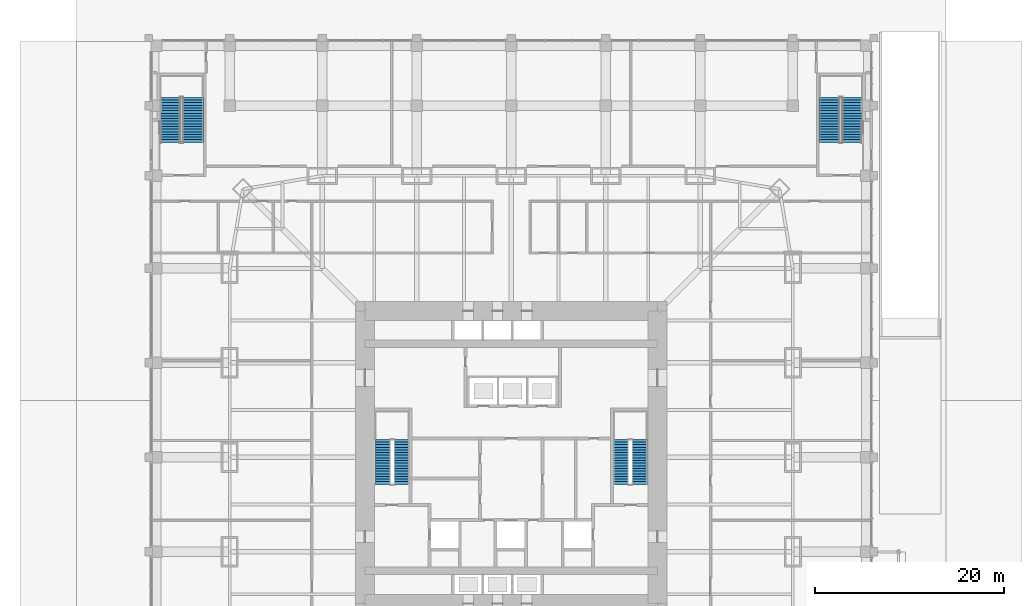
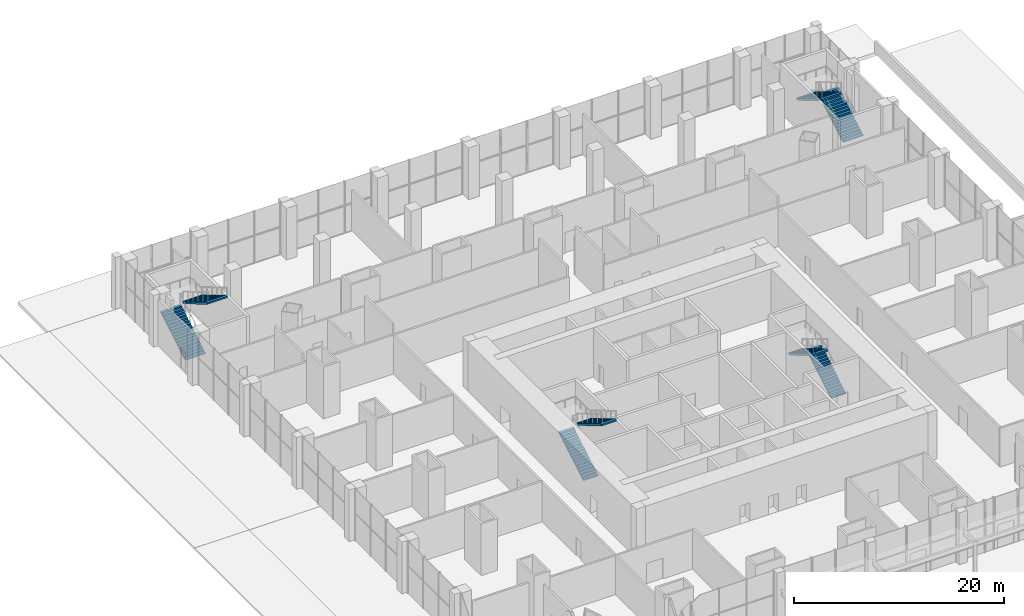
# One storey, part 28 of 31: 8 stair flights, 4 elements without a shape of their own.
"""IFC4 building model written with IfcOpenShell, lengths in metres."""

import ifcopenshell
import ifcopenshell.guid

model = None  # the IFC model being written
_history = None  # IfcOwnerHistory: only IFC2X3 demands one
_inside = {}  # id of a spatial element -> (the spatial element, [elements in it])
_under = {}  # id of a project, library or spatial element -> (it, [spatial elements below it])
_declared = {}  # id of a project -> (the project, [libraries it declares])
_typed = {}  # id of a type object -> (the type object, [elements of that type])
_made_of = {}  # id of a material, layer set ... -> (it, [elements and type objects made of it])


def new_model(schema):
    """Start an empty IFC model of exactly this schema.

    Asked for "IFC4X3", IfcOpenShell would pick the latest addendum, in which some entities
    have other attributes; the version numbers below select the first issue.
    IFC2X3 requires an IfcOwnerHistory on every rooted entity: one is made here for all.
    """
    global model, _history
    if schema == "IFC4X3":
        model = ifcopenshell.file(schema_version=(4, 3, 0, 0))
    else:
        model = ifcopenshell.file(schema=schema)
    _inside.clear()
    _under.clear()
    _declared.clear()
    _typed.clear()
    _made_of.clear()
    _history = None
    if model.schema == "IFC2X3":
        org = make("IfcOrganization", Name="unknown")
        user = make(
            "IfcPersonAndOrganization",
            ThePerson=make("IfcPerson", FamilyName="unknown"),
            TheOrganization=org,
        )
        app = make(
            "IfcApplication",
            ApplicationDeveloper=org,
            Version="unknown",
            ApplicationFullName="unknown",
            ApplicationIdentifier="unknown",
        )
        _history = make(
            "IfcOwnerHistory",
            OwningUser=user,
            OwningApplication=app,
            ChangeAction="ADDED",
            CreationDate=0,
        )
    return model


def make(cls, **values):
    """One entity of the class cls with the attributes given. An attribute that is None is left unset."""
    return model.create_entity(
        cls, **{name: value for name, value in values.items() if value is not None}
    )


def rooted(cls, **values):
    """An entity with a GlobalId (a new one), such as an element, a storey or a relation."""
    return make(cls, GlobalId=ifcopenshell.guid.new(), OwnerHistory=_history, **values)


def si_unit(unit_type, name, prefix=None):
    """IfcSIUnit, for example si_unit("LENGTHUNIT", "METRE", prefix="MILLI")."""
    return make("IfcSIUnit", UnitType=unit_type, Prefix=prefix, Name=name)


def assignment(units):
    """IfcUnitAssignment: the units of a project."""
    return None if units is None else make("IfcUnitAssignment", Units=units)


def point(xyz):
    """IfcCartesianPoint."""
    return None if xyz is None else make("IfcCartesianPoint", Coordinates=xyz)


def direction(xyz):
    """IfcDirection."""
    return None if xyz is None else make("IfcDirection", DirectionRatios=xyz)


def frame(location, z_axis=None, x_axis=None):
    """IfcAxis2Placement3D, a coordinate frame: its origin and axes. An axis left out is left unset."""
    return make(
        "IfcAxis2Placement3D",
        Location=point(location),
        Axis=direction(z_axis),
        RefDirection=direction(x_axis),
    )


def origin():
    """The frame at (0, 0, 0) with its axes left unset."""
    return frame((0.0, 0.0, 0.0))


def place(relative_to, where):
    """IfcLocalPlacement: puts the frame where relative to a parent placement (None: the world)."""
    return make(
        "IfcLocalPlacement", PlacementRelTo=relative_to, RelativePlacement=where
    )


def context(
    kind, dimensions, precision=None, world=None, true_north=None, identifier=None
):
    """IfcGeometricRepresentationContext, for example the 3D "Model" context."""
    return make(
        "IfcGeometricRepresentationContext",
        ContextIdentifier=identifier,
        ContextType=kind,
        CoordinateSpaceDimension=dimensions,
        Precision=precision,
        WorldCoordinateSystem=world,
        TrueNorth=true_north,
    )


def subcontext(parent, identifier, kind, view, scale=None):
    """IfcGeometricRepresentationSubContext, for example "Body" below "Model"."""
    return make(
        "IfcGeometricRepresentationSubContext",
        ContextIdentifier=identifier,
        ContextType=kind,
        ParentContext=parent,
        TargetScale=scale,
        TargetView=view,
    )


def project(units=None, contexts=None):
    """IfcProject with its units and contexts."""
    return rooted(
        "IfcProject",
        Name="project",
        RepresentationContexts=contexts,
        UnitsInContext=assignment(units),
    )


def spatial(cls, under=None, at=None, **own):
    """A site, building, storey or space (cls), placed at a placement, below another one or the project."""
    s = rooted(cls, ObjectPlacement=at, **own)
    if under is not None:
        _under.setdefault(under.id(), (under, []))[1].append(s)
    return s


def polyline(points):
    """IfcPolyline through the points."""
    return make("IfcPolyline", Points=[point(p) for p in points])


def outline(outer, holes=None, kind="AREA"):
    """IfcArbitraryClosedProfileDef: a profile drawn as a closed curve; with holes, ...WithVoids."""
    if holes is None:
        return make("IfcArbitraryClosedProfileDef", ProfileType=kind, OuterCurve=outer)
    return make(
        "IfcArbitraryProfileDefWithVoids",
        ProfileType=kind,
        OuterCurve=outer,
        InnerCurves=holes,
    )


def extrude(swept, where, along, depth):
    """IfcExtrudedAreaSolid: the profile swept, set in the frame where, extruded along a direction by depth."""
    return make(
        "IfcExtrudedAreaSolid",
        SweptArea=swept,
        Position=where,
        ExtrudedDirection=direction(along),
        Depth=depth,
    )


def shape(context_of_items, identifier, shape_type, items):
    """IfcShapeRepresentation: the items that make up one representation, for example the "Body"."""
    return make(
        "IfcShapeRepresentation",
        ContextOfItems=context_of_items,
        RepresentationIdentifier=identifier,
        RepresentationType=shape_type,
        Items=items,
    )


def material(Name=None, Category=None):
    """IfcMaterial."""
    return make("IfcMaterial", Name=Name, Category=Category)


def made_of(thing, what):
    """Note that an element or type object is made of a material, layer set ...; save() writes the relation."""
    if what is not None:
        _made_of.setdefault(what.id(), (what, []))[1].append(thing)
    return thing


def type_object(cls, material=None, **own):
    """A type object (cls), such as IfcWallType, which elements share."""
    return made_of(rooted(cls, **own), material)


def element(
    cls,
    number,
    at=None,
    inside=None,
    cuts=None,
    type_object=None,
    material=None,
    context=None,
    identifier="Body",
    shape_type=None,
    held_by="IfcProductDefinitionShape",
    body=None,
    shapes=None,
    **own,
):
    """One element of the class cls, such as IfcWall. Its Tag is "e" and its number.

    at: its placement. inside: the storey or other place that contains it. cuts: it is an
    opening in that element (IfcRelVoidsElement). A single representation is given by context,
    identifier, shape_type and body (its items); several are given by shapes. held_by: the class
    of the entity that holds the representations. save() writes the other relations.
    """
    e = rooted(cls, Tag="e%d" % number, ObjectPlacement=at, **own)
    if body is not None:
        shapes = [shape(context, identifier, shape_type, body)]
    if shapes is not None:
        e.Representation = make(held_by, Representations=shapes)
    if inside is not None:
        _inside.setdefault(inside.id(), (inside, []))[1].append(e)
    if cuts is not None:
        rooted(
            "IfcRelVoidsElement", RelatingBuildingElement=cuts, RelatedOpeningElement=e
        )
    if type_object is not None:
        _typed.setdefault(type_object.id(), (type_object, []))[1].append(e)
    return made_of(e, material)


def aggregate(whole, parts):
    """IfcRelAggregates: a whole, such as a stair, and the parts it consists of."""
    return rooted("IfcRelAggregates", RelatingObject=whole, RelatedObjects=parts)


def save(model, path):
    """Write the relations noted so far, then the file.

    IfcRelAggregates (storeys below a building ...), IfcRelContainedInSpatialStructure (elements
    in a storey), IfcRelDefinesByType, IfcRelAssociatesMaterial and IfcRelDeclares: one each for
    every whole, place, type object, material and project.
    """
    for whole, parts in _under.values():
        aggregate(whole, parts)
    for where, things in _inside.values():
        rooted(
            "IfcRelContainedInSpatialStructure",
            RelatedElements=things,
            RelatingStructure=where,
        )
    for kind, things in _typed.values():
        rooted("IfcRelDefinesByType", RelatedObjects=things, RelatingType=kind)
    for what, things in _made_of.values():
        rooted("IfcRelAssociatesMaterial", RelatedObjects=things, RelatingMaterial=what)
    for by, libraries in _declared.values():
        rooted("IfcRelDeclares", RelatingContext=by, RelatedDefinitions=libraries)
    model.write(path)


model = new_model("IFC4")

# Units and contexts
model_context = context("Model", 3, precision=1e-05, world=origin(), true_north=direction((0.0, 1.0)))
body_context = subcontext(model_context, "Body", "Model", "MODEL_VIEW")
ifc_project = project(units=[si_unit("LENGTHUNIT", "METRE"), si_unit("AREAUNIT", "SQUARE_METRE"), si_unit("VOLUMEUNIT", "CUBIC_METRE"), si_unit("PLANEANGLEUNIT", "RADIAN"), si_unit("MASSUNIT", "GRAM", prefix="KILO")], contexts=[model_context])

# Site, building, storey
site_placement = place(None, origin())
site = spatial("IfcSite", under=ifc_project, at=site_placement, CompositionType="ELEMENT")
building_placement = place(site_placement, origin())
building = spatial("IfcBuilding", under=site, at=building_placement, Name="Khuree Lantern Residences", CompositionType="ELEMENT")
storey_placement = place(building_placement, origin())
storey = spatial("IfcBuildingStorey", under=building, at=storey_placement, Name="L00", CompositionType="ELEMENT", Elevation=0.0)

# Stair, stair flights
ifc_material = material(Name="Concrete C40/50", Category="concrete")
stair_type_1 = type_object("IfcStairType", Name="STAIR ST1 HALF TURN 3600", PredefinedType="HALF_TURN_STAIR", material=ifc_material)
stair_1_placement = place(storey_placement, origin())
stair_1 = element("IfcStair", 1, at=stair_1_placement, inside=storey, type_object=stair_type_1, Name="Stair ST1", PredefinedType="HALF_TURN_STAIR")
stair_flight_type_1 = type_object("IfcStairFlightType", Name="STAIR FLIGHT SF1 1600", PredefinedType="STRAIGHT", material=ifc_material)
stair_flight_1_placement = place(storey_placement, frame((-13.60009765625, -2.860107421875, 0.0), z_axis=(0.0, 0.0, 1.0), x_axis=(0.0, 1.0, 0.0)))
stair_flight_1 = element("IfcStairFlight", 2, at=stair_flight_1_placement, type_object=stair_flight_type_1, Name="ST1 flight 1", NumberOfRisers=18, NumberOfTreads=17, PredefinedType="STRAIGHT", RiserHeight=0.166666667, TreadLength=0.28, context=body_context, shape_type="SweptSolid", body=[
    extrude(outline(polyline([(0.0, 0.0), (0.0, 0.166748046875), (0.280029296875, 0.166748046875), (0.280029296875, 0.333251953125), (0.56005859375, 0.333251953125), (0.56005859375, 0.5), (0.840087890625, 0.5), (0.840087890625, 0.666748046875), (1.1201171875, 0.666748046875), (1.1201171875, 0.833251953125), (1.39990234375, 0.833251953125), (1.39990234375, 1.0), (1.679931640625, 1.0), (1.679931640625, 1.166748046875), (1.9599609375, 1.166748046875), (1.9599609375, 1.333251953125), (2.239990234375, 1.333251953125), (2.239990234375, 1.5), (2.52001953125, 1.5), (2.52001953125, 1.666748046875), (2.800048828125, 1.666748046875), (2.800048828125, 1.833251953125), (3.080078125, 1.833251953125), (3.080078125, 2.0), (3.360107421875, 2.0), (3.360107421875, 2.166748046875), (3.639892578125, 2.166748046875), (3.639892578125, 2.333251953125), (3.919921875, 2.333251953125), (3.919921875, 2.5), (4.199951171875, 2.5), (4.199951171875, 2.666748046875), (4.47998046875, 2.666748046875), (4.47998046875, 2.833251953125), (4.760009765625, 2.833251953125), (4.760009765625, 3.0), (4.760009765625, 2.658935546875), (0.29296875, 0.0), (0.0, 0.0)])), frame((0.0, 0.800048828125, 0.0), z_axis=(0.0, -1.0, 0.0), x_axis=(1.0, 0.0, 0.0)), (0.0, 0.0, 1.0), 1.60009765625),
])
stair_flight_2_placement = place(storey_placement, frame((-11.60009765625, 1.89990234375, 3.0), z_axis=(0.0, 0.0, 1.0), x_axis=(0.0, -1.0, 0.0)))
stair_flight_2 = element("IfcStairFlight", 3, at=stair_flight_2_placement, type_object=stair_flight_type_1, Name="ST1 flight 2", NumberOfRisers=18, NumberOfTreads=17, PredefinedType="STRAIGHT", RiserHeight=0.166666667, TreadLength=0.28, context=body_context, shape_type="SweptSolid", body=[
    extrude(outline(polyline([(0.0, 0.0), (0.0, 0.166748046875), (0.280029296875, 0.166748046875), (0.280029296875, 0.333251953125), (0.56005859375, 0.333251953125), (0.56005859375, 0.5), (0.840087890625, 0.5), (0.840087890625, 0.666748046875), (1.1201171875, 0.666748046875), (1.1201171875, 0.833251953125), (1.39990234375, 0.833251953125), (1.39990234375, 1.0), (1.679931640625, 1.0), (1.679931640625, 1.166748046875), (1.9599609375, 1.166748046875), (1.9599609375, 1.333251953125), (2.239990234375, 1.333251953125), (2.239990234375, 1.5), (2.52001953125, 1.5), (2.52001953125, 1.666748046875), (2.800048828125, 1.666748046875), (2.800048828125, 1.833251953125), (3.080078125, 1.833251953125), (3.080078125, 2.0), (3.360107421875, 2.0), (3.360107421875, 2.166748046875), (3.639892578125, 2.166748046875), (3.639892578125, 2.333251953125), (3.919921875, 2.333251953125), (3.919921875, 2.5), (4.199951171875, 2.5), (4.199951171875, 2.666748046875), (4.47998046875, 2.666748046875), (4.47998046875, 2.833251953125), (4.760009765625, 2.833251953125), (4.760009765625, 3.0), (4.760009765625, 2.658935546875), (0.29296875, 0.0), (0.0, 0.0)])), frame((0.0, 0.800048828125, 0.0), z_axis=(0.0, -1.0, 0.0), x_axis=(1.0, 0.0, 0.0)), (0.0, 0.0, 1.0), 1.60009765625),
])
aggregate(stair_1, [stair_flight_1, stair_flight_2])

stair_2_placement = place(storey_placement, origin())
stair_2 = element("IfcStair", 4, at=stair_2_placement, inside=storey, type_object=stair_type_1, Name="Stair ST2", PredefinedType="HALF_TURN_STAIR")
stair_flight_3_placement = place(storey_placement, frame((13.60009765625, -2.860107421875, 0.0), z_axis=(0.0, 0.0, 1.0), x_axis=(0.0, 1.0, 0.0)))
stair_flight_3 = element("IfcStairFlight", 5, at=stair_flight_3_placement, type_object=stair_flight_type_1, Name="ST2 flight 1", NumberOfRisers=18, NumberOfTreads=17, PredefinedType="STRAIGHT", RiserHeight=0.166666667, TreadLength=0.28, context=body_context, shape_type="SweptSolid", body=[
    extrude(outline(polyline([(0.0, 0.0), (0.0, 0.166748046875), (0.280029296875, 0.166748046875), (0.280029296875, 0.333251953125), (0.56005859375, 0.333251953125), (0.56005859375, 0.5), (0.840087890625, 0.5), (0.840087890625, 0.666748046875), (1.1201171875, 0.666748046875), (1.1201171875, 0.833251953125), (1.39990234375, 0.833251953125), (1.39990234375, 1.0), (1.679931640625, 1.0), (1.679931640625, 1.166748046875), (1.9599609375, 1.166748046875), (1.9599609375, 1.333251953125), (2.239990234375, 1.333251953125), (2.239990234375, 1.5), (2.52001953125, 1.5), (2.52001953125, 1.666748046875), (2.800048828125, 1.666748046875), (2.800048828125, 1.833251953125), (3.080078125, 1.833251953125), (3.080078125, 2.0), (3.360107421875, 2.0), (3.360107421875, 2.166748046875), (3.639892578125, 2.166748046875), (3.639892578125, 2.333251953125), (3.919921875, 2.333251953125), (3.919921875, 2.5), (4.199951171875, 2.5), (4.199951171875, 2.666748046875), (4.47998046875, 2.666748046875), (4.47998046875, 2.833251953125), (4.760009765625, 2.833251953125), (4.760009765625, 3.0), (4.760009765625, 2.658935546875), (0.29296875, 0.0), (0.0, 0.0)])), frame((0.0, 0.800048828125, 0.0), z_axis=(0.0, -1.0, 0.0), x_axis=(1.0, 0.0, 0.0)), (0.0, 0.0, 1.0), 1.60009765625),
])
stair_flight_4_placement = place(storey_placement, frame((11.60009765625, 1.89990234375, 3.0), z_axis=(0.0, 0.0, 1.0), x_axis=(0.0, -1.0, 0.0)))
stair_flight_4 = element("IfcStairFlight", 6, at=stair_flight_4_placement, type_object=stair_flight_type_1, Name="ST2 flight 2", NumberOfRisers=18, NumberOfTreads=17, PredefinedType="STRAIGHT", RiserHeight=0.166666667, TreadLength=0.28, context=body_context, shape_type="SweptSolid", body=[
    extrude(outline(polyline([(0.0, 0.0), (0.0, 0.166748046875), (0.280029296875, 0.166748046875), (0.280029296875, 0.333251953125), (0.56005859375, 0.333251953125), (0.56005859375, 0.5), (0.840087890625, 0.5), (0.840087890625, 0.666748046875), (1.1201171875, 0.666748046875), (1.1201171875, 0.833251953125), (1.39990234375, 0.833251953125), (1.39990234375, 1.0), (1.679931640625, 1.0), (1.679931640625, 1.166748046875), (1.9599609375, 1.166748046875), (1.9599609375, 1.333251953125), (2.239990234375, 1.333251953125), (2.239990234375, 1.5), (2.52001953125, 1.5), (2.52001953125, 1.666748046875), (2.800048828125, 1.666748046875), (2.800048828125, 1.833251953125), (3.080078125, 1.833251953125), (3.080078125, 2.0), (3.360107421875, 2.0), (3.360107421875, 2.166748046875), (3.639892578125, 2.166748046875), (3.639892578125, 2.333251953125), (3.919921875, 2.333251953125), (3.919921875, 2.5), (4.199951171875, 2.5), (4.199951171875, 2.666748046875), (4.47998046875, 2.666748046875), (4.47998046875, 2.833251953125), (4.760009765625, 2.833251953125), (4.760009765625, 3.0), (4.760009765625, 2.658935546875), (0.29296875, 0.0), (0.0, 0.0)])), frame((0.0, 0.800048828125, 0.0), z_axis=(0.0, -1.0, 0.0), x_axis=(1.0, 0.0, 0.0)), (0.0, 0.0, 1.0), 1.60009765625),
])
aggregate(stair_2, [stair_flight_3, stair_flight_4])

stair_type_2 = type_object("IfcStairType", Name="STAIR ST3 HALF TURN 4600", PredefinedType="HALF_TURN_STAIR", material=ifc_material)
stair_3_placement = place(storey_placement, origin())
stair_3 = element("IfcStair", 7, at=stair_3_placement, inside=storey, type_object=stair_type_2, Name="Stair ST3", PredefinedType="HALF_TURN_STAIR")
stair_flight_type_2 = type_object("IfcStairFlightType", Name="STAIR FLIGHT SF2 2200", PredefinedType="STRAIGHT", material=ifc_material)
stair_flight_5_placement = place(storey_placement, frame((-36.10009765625, 33.340087890625, 0.0), z_axis=(0.0, 0.0, 1.0), x_axis=(0.0, 1.0, 0.0)))
stair_flight_5 = element("IfcStairFlight", 8, at=stair_flight_5_placement, type_object=stair_flight_type_2, Name="ST3 flight 1", NumberOfRisers=18, NumberOfTreads=17, PredefinedType="STRAIGHT", RiserHeight=0.166666667, TreadLength=0.28, context=body_context, shape_type="SweptSolid", body=[
    extrude(outline(polyline([(0.0, 0.0), (0.0, 0.166748046875), (0.280029296875, 0.166748046875), (0.280029296875, 0.333251953125), (0.56005859375, 0.333251953125), (0.56005859375, 0.5), (0.840087890625, 0.5), (0.840087890625, 0.666748046875), (1.1201171875, 0.666748046875), (1.1201171875, 0.833251953125), (1.39990234375, 0.833251953125), (1.39990234375, 1.0), (1.679931640625, 1.0), (1.679931640625, 1.166748046875), (1.9599609375, 1.166748046875), (1.9599609375, 1.333251953125), (2.239990234375, 1.333251953125), (2.239990234375, 1.5), (2.52001953125, 1.5), (2.52001953125, 1.666748046875), (2.800048828125, 1.666748046875), (2.800048828125, 1.833251953125), (3.080078125, 1.833251953125), (3.080078125, 2.0), (3.360107421875, 2.0), (3.360107421875, 2.166748046875), (3.639892578125, 2.166748046875), (3.639892578125, 2.333251953125), (3.919921875, 2.333251953125), (3.919921875, 2.5), (4.199951171875, 2.5), (4.199951171875, 2.666748046875), (4.47998046875, 2.666748046875), (4.47998046875, 2.833251953125), (4.760009765625, 2.833251953125), (4.760009765625, 3.0), (4.760009765625, 2.658935546875), (0.29296875, 0.0), (0.0, 0.0)])), frame((0.0, 1.10009765625, 0.0), z_axis=(0.0, -1.0, 0.0), x_axis=(1.0, 0.0, 0.0)), (0.0, 0.0, 1.0), 2.199951171875),
])
stair_flight_6_placement = place(storey_placement, frame((-33.699951171875, 38.10009765625, 3.0), z_axis=(0.0, 0.0, 1.0), x_axis=(0.0, -1.0, 0.0)))
stair_flight_6 = element("IfcStairFlight", 9, at=stair_flight_6_placement, type_object=stair_flight_type_2, Name="ST3 flight 2", NumberOfRisers=18, NumberOfTreads=17, PredefinedType="STRAIGHT", RiserHeight=0.166666667, TreadLength=0.28, context=body_context, shape_type="SweptSolid", body=[
    extrude(outline(polyline([(0.0, 0.0), (0.0, 0.166748046875), (0.280029296875, 0.166748046875), (0.280029296875, 0.333251953125), (0.56005859375, 0.333251953125), (0.56005859375, 0.5), (0.840087890625, 0.5), (0.840087890625, 0.666748046875), (1.1201171875, 0.666748046875), (1.1201171875, 0.833251953125), (1.39990234375, 0.833251953125), (1.39990234375, 1.0), (1.679931640625, 1.0), (1.679931640625, 1.166748046875), (1.9599609375, 1.166748046875), (1.9599609375, 1.333251953125), (2.239990234375, 1.333251953125), (2.239990234375, 1.5), (2.52001953125, 1.5), (2.52001953125, 1.666748046875), (2.800048828125, 1.666748046875), (2.800048828125, 1.833251953125), (3.080078125, 1.833251953125), (3.080078125, 2.0), (3.360107421875, 2.0), (3.360107421875, 2.166748046875), (3.639892578125, 2.166748046875), (3.639892578125, 2.333251953125), (3.919921875, 2.333251953125), (3.919921875, 2.5), (4.199951171875, 2.5), (4.199951171875, 2.666748046875), (4.47998046875, 2.666748046875), (4.47998046875, 2.833251953125), (4.760009765625, 2.833251953125), (4.760009765625, 3.0), (4.760009765625, 2.658935546875), (0.29296875, 0.0), (0.0, 0.0)])), frame((0.0, 1.10009765625, 0.0), z_axis=(0.0, -1.0, 0.0), x_axis=(1.0, 0.0, 0.0)), (0.0, 0.0, 1.0), 2.199951171875),
])
aggregate(stair_3, [stair_flight_5, stair_flight_6])

stair_4_placement = place(storey_placement, origin())
stair_4 = element("IfcStair", 10, at=stair_4_placement, inside=storey, type_object=stair_type_2, Name="Stair ST4", PredefinedType="HALF_TURN_STAIR")
stair_flight_7_placement = place(storey_placement, frame((36.10009765625, 33.340087890625, 0.0), z_axis=(0.0, 0.0, 1.0), x_axis=(0.0, 1.0, 0.0)))
stair_flight_7 = element("IfcStairFlight", 11, at=stair_flight_7_placement, type_object=stair_flight_type_2, Name="ST4 flight 1", NumberOfRisers=18, NumberOfTreads=17, PredefinedType="STRAIGHT", RiserHeight=0.166666667, TreadLength=0.28, context=body_context, shape_type="SweptSolid", body=[
    extrude(outline(polyline([(0.0, 0.0), (0.0, 0.166748046875), (0.280029296875, 0.166748046875), (0.280029296875, 0.333251953125), (0.56005859375, 0.333251953125), (0.56005859375, 0.5), (0.840087890625, 0.5), (0.840087890625, 0.666748046875), (1.1201171875, 0.666748046875), (1.1201171875, 0.833251953125), (1.39990234375, 0.833251953125), (1.39990234375, 1.0), (1.679931640625, 1.0), (1.679931640625, 1.166748046875), (1.9599609375, 1.166748046875), (1.9599609375, 1.333251953125), (2.239990234375, 1.333251953125), (2.239990234375, 1.5), (2.52001953125, 1.5), (2.52001953125, 1.666748046875), (2.800048828125, 1.666748046875), (2.800048828125, 1.833251953125), (3.080078125, 1.833251953125), (3.080078125, 2.0), (3.360107421875, 2.0), (3.360107421875, 2.166748046875), (3.639892578125, 2.166748046875), (3.639892578125, 2.333251953125), (3.919921875, 2.333251953125), (3.919921875, 2.5), (4.199951171875, 2.5), (4.199951171875, 2.666748046875), (4.47998046875, 2.666748046875), (4.47998046875, 2.833251953125), (4.760009765625, 2.833251953125), (4.760009765625, 3.0), (4.760009765625, 2.658935546875), (0.29296875, 0.0), (0.0, 0.0)])), frame((0.0, 1.10009765625, 0.0), z_axis=(0.0, -1.0, 0.0), x_axis=(1.0, 0.0, 0.0)), (0.0, 0.0, 1.0), 2.199951171875),
])
stair_flight_8_placement = place(storey_placement, frame((33.699951171875, 38.10009765625, 3.0), z_axis=(0.0, 0.0, 1.0), x_axis=(0.0, -1.0, 0.0)))
stair_flight_8 = element("IfcStairFlight", 12, at=stair_flight_8_placement, type_object=stair_flight_type_2, Name="ST4 flight 2", NumberOfRisers=18, NumberOfTreads=17, PredefinedType="STRAIGHT", RiserHeight=0.166666667, TreadLength=0.28, context=body_context, shape_type="SweptSolid", body=[
    extrude(outline(polyline([(0.0, 0.0), (0.0, 0.166748046875), (0.280029296875, 0.166748046875), (0.280029296875, 0.333251953125), (0.56005859375, 0.333251953125), (0.56005859375, 0.5), (0.840087890625, 0.5), (0.840087890625, 0.666748046875), (1.1201171875, 0.666748046875), (1.1201171875, 0.833251953125), (1.39990234375, 0.833251953125), (1.39990234375, 1.0), (1.679931640625, 1.0), (1.679931640625, 1.166748046875), (1.9599609375, 1.166748046875), (1.9599609375, 1.333251953125), (2.239990234375, 1.333251953125), (2.239990234375, 1.5), (2.52001953125, 1.5), (2.52001953125, 1.666748046875), (2.800048828125, 1.666748046875), (2.800048828125, 1.833251953125), (3.080078125, 1.833251953125), (3.080078125, 2.0), (3.360107421875, 2.0), (3.360107421875, 2.166748046875), (3.639892578125, 2.166748046875), (3.639892578125, 2.333251953125), (3.919921875, 2.333251953125), (3.919921875, 2.5), (4.199951171875, 2.5), (4.199951171875, 2.666748046875), (4.47998046875, 2.666748046875), (4.47998046875, 2.833251953125), (4.760009765625, 2.833251953125), (4.760009765625, 3.0), (4.760009765625, 2.658935546875), (0.29296875, 0.0), (0.0, 0.0)])), frame((0.0, 1.10009765625, 0.0), z_axis=(0.0, -1.0, 0.0), x_axis=(1.0, 0.0, 0.0)), (0.0, 0.0, 1.0), 2.199951171875),
])
aggregate(stair_4, [stair_flight_7, stair_flight_8])

save(model, "model.ifc")
